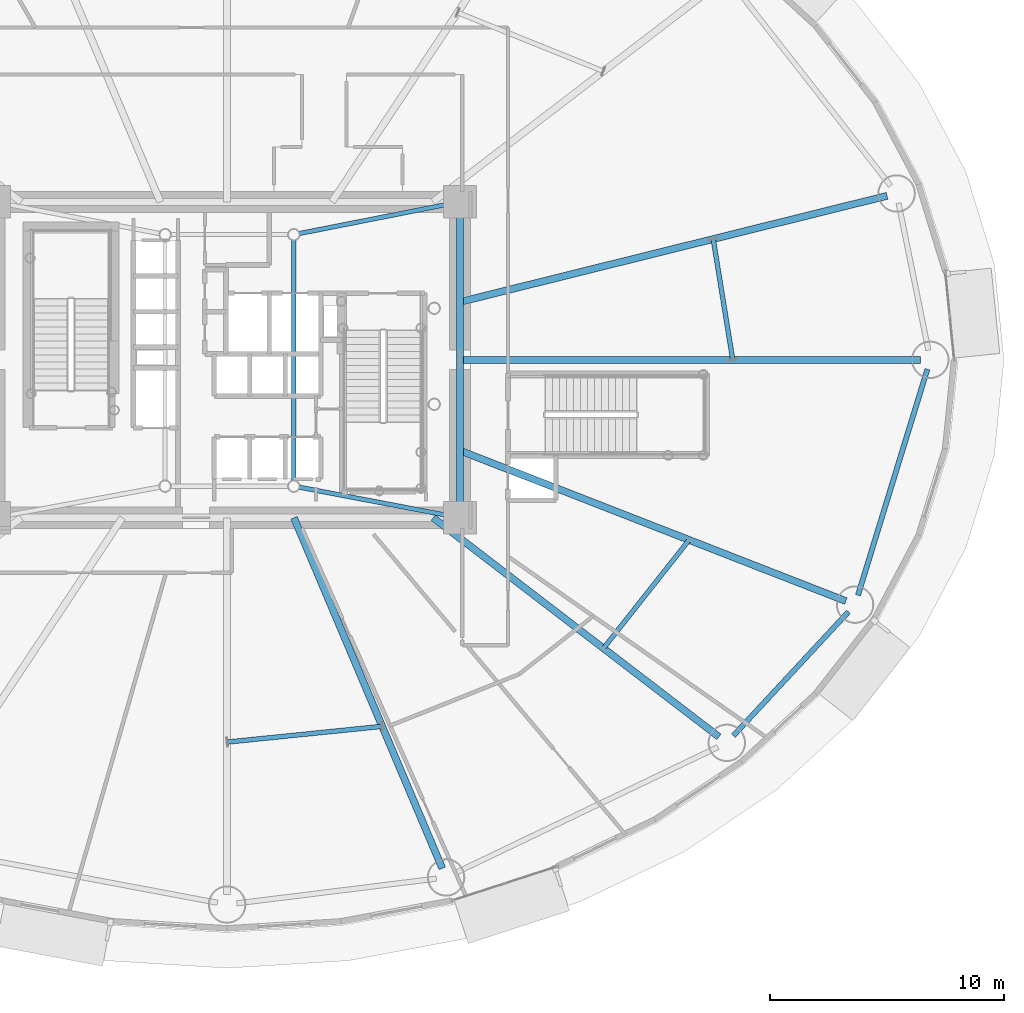
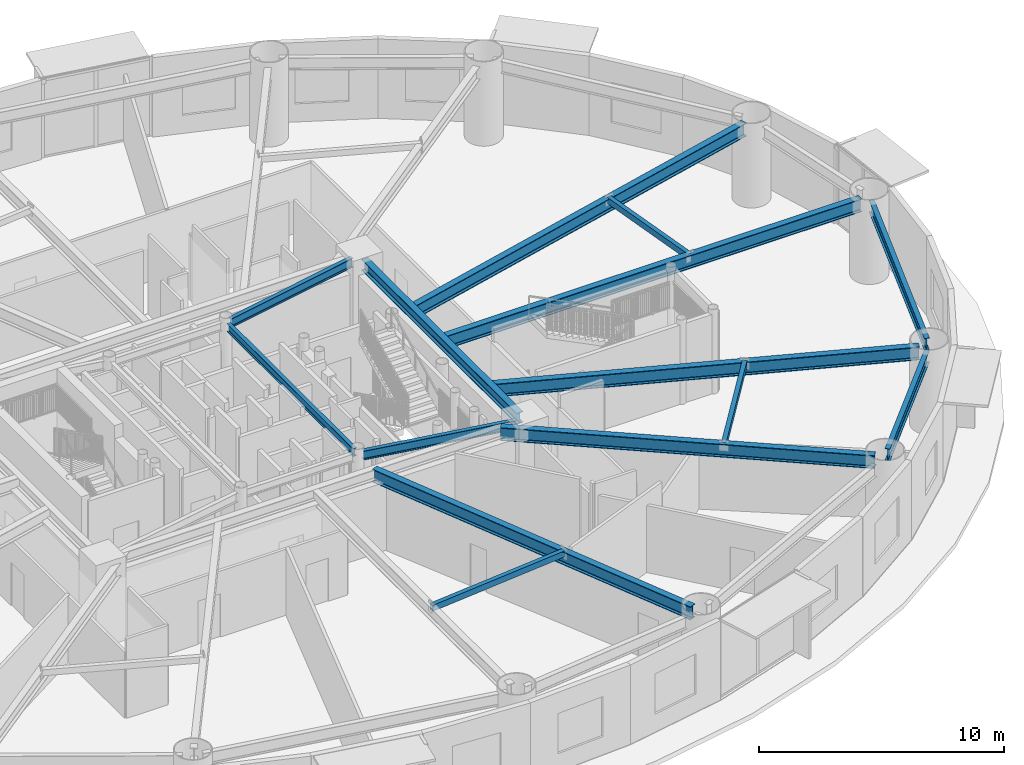
# One storey, part 8 of 35: 14 beams.
"""IFC4 building model written with IfcOpenShell, lengths in metres."""

from ifc_helpers import new_model, si_unit, direction, frame, origin, origin_2d, place, context, subcontext, project, spatial, hollow_rectangle, i_section, extrude, material, material_profile, profile_set, type_object, element, save


model = new_model("IFC4")

# Units and contexts
model_context = context("Model", 3, precision=1e-05, world=origin(), true_north=direction((0.0, 1.0)))
body_context = subcontext(model_context, "Body", "Model", "MODEL_VIEW")
ifc_project = project(units=[si_unit("LENGTHUNIT", "METRE"), si_unit("AREAUNIT", "SQUARE_METRE"), si_unit("VOLUMEUNIT", "CUBIC_METRE"), si_unit("PLANEANGLEUNIT", "RADIAN"), si_unit("MASSUNIT", "GRAM", prefix="KILO")], contexts=[model_context])

# Site, building, storey
site_placement = place(None, origin())
site = spatial("IfcSite", under=ifc_project, at=site_placement, CompositionType="ELEMENT")
building_placement = place(site_placement, origin())
building = spatial("IfcBuilding", under=site, at=building_placement, Name="Linh Dai School and Residence Tower", CompositionType="ELEMENT")
storey_placement = place(building_placement, frame((0.0, 0.0, 32.39990234375)))
storey = spatial("IfcBuildingStorey", under=building, at=storey_placement, Name="L07", CompositionType="ELEMENT", Elevation=32.39990234375)

# Beams
ifc_material = material(Name="Structural Steel S355JR", Category="steel")
ifc_material_profile_1 = material_profile(ifc_material, hollow_rectangle(XDim=0.199951171875, YDim=0.300048828125, WallThickness=0.010009765625, at=origin_2d()), Name="RHS 300x200x10")
ifc_profile_set_1 = profile_set([ifc_material_profile_1], Name="Structural Steel S355JR")
beam_type_1 = type_object("IfcBeamType", Name="BM-BX3", PredefinedType="BEAM", material=ifc_profile_set_1)
beam_1_placement = place(storey_placement, frame((57.607177734375, 27.0048828125, 3.800048828125), z_axis=(-0.159632523434, 0.987176507754, 0.0), x_axis=(-0.987176507754, -0.159632523434, 0.0)))
element("IfcBeam", 1, at=beam_1_placement, inside=storey, type_object=beam_type_1, Name="L07 Secondary Circumferential Floor Beam 01", PredefinedType="BEAM", context=body_context, shape_type="SweptSolid", body=[
    extrude(hollow_rectangle(XDim=0.199951171875, YDim=0.300048828125, WallThickness=0.010009765625, at=origin_2d()), origin(), (0.0, 0.0, 1.0), 5.21826171875),
])
beam_2_placement = place(storey_placement, frame((36.0048828125, 10.6630859375, 3.800048828125), z_axis=(0.99488448114, 0.10101915257, 0.0), x_axis=(-0.10101915257, 0.99488448114, 0.0)))
element("IfcBeam", 2, at=beam_2_placement, inside=storey, type_object=beam_type_1, Name="L07 Secondary Circumferential Floor Beam 07", PredefinedType="BEAM", context=body_context, shape_type="SweptSolid", body=[
    extrude(hollow_rectangle(XDim=0.199951171875, YDim=0.300048828125, WallThickness=0.010009765625, at=origin_2d()), origin(), (0.0, 0.0, 1.0), 6.65087890625),
])
beam_3_placement = place(storey_placement, frame((52.085693359375, 14.6748046875, 3.800048828125), z_axis=(0.620188156993, 0.784453089691, 0.0), x_axis=(-0.784453089691, 0.620188156993, 0.0)))
element("IfcBeam", 3, at=beam_3_placement, inside=storey, type_object=beam_type_1, Name="L07 Secondary Circumferential Floor Beam 08", PredefinedType="BEAM", context=body_context, shape_type="SweptSolid", body=[
    extrude(hollow_rectangle(XDim=0.199951171875, YDim=0.300048828125, WallThickness=0.010009765625, at=origin_2d()), origin(), (0.0, 0.0, 1.0), 5.89306640625),
])
ifc_material_profile_2 = material_profile(ifc_material, i_section(OverallWidth=0.219970703125, OverallDepth=0.60009765625, WebThickness=0.011962890625, FlangeThickness=0.01904296875, FilletRadius=0.02392578125, at=origin_2d()), Name="IPE 600")
ifc_profile_set_2 = profile_set([ifc_material_profile_2], Name="Structural Steel S355JR")
beam_type_2 = type_object("IfcBeamType", Name="BM-RB60", PredefinedType="BEAM", material=ifc_profile_set_2)
beam_4_placement = place(storey_placement, frame((57.638427734375, 10.938720703125, 3.650146484375), z_axis=(0.680408287194, 0.732833243458, 0.0), x_axis=(-0.732833243458, 0.680408287194, 0.0)))
element("IfcBeam", 4, at=beam_4_placement, inside=storey, type_object=beam_type_2, Name="L07 Perimeter Elliptical Ring Beam 15", PredefinedType="BEAM", context=body_context, shape_type="SweptSolid", body=[
    extrude(i_section(OverallWidth=0.219970703125, OverallDepth=0.60009765625, WebThickness=0.011962890625, FlangeThickness=0.01904296875, FilletRadius=0.02392578125, at=origin_2d()), origin(), (0.0, 0.0, 1.0), 7.21826171875),
])
beam_5_placement = place(storey_placement, frame((62.958740234375, 16.937744140625, 3.650146484375), z_axis=(0.293673329015, 0.95590584046, 0.0), x_axis=(-0.95590584046, 0.293673329015, 0.0)))
element("IfcBeam", 5, at=beam_5_placement, inside=storey, type_object=beam_type_2, Name="L07 Perimeter Elliptical Ring Beam 16", PredefinedType="BEAM", context=body_context, shape_type="SweptSolid", body=[
    extrude(i_section(OverallWidth=0.219970703125, OverallDepth=0.60009765625, WebThickness=0.011962890625, FlangeThickness=0.01904296875, FilletRadius=0.02392578125, at=origin_2d()), origin(), (0.0, 0.0, 1.0), 10.1064453125),
])
ifc_material_profile_3 = material_profile(ifc_material, i_section(OverallWidth=0.300048828125, OverallDepth=0.550048828125, WebThickness=0.014892578125, FlangeThickness=0.029052734375, FilletRadius=0.027099609375, at=origin_2d()), Name="HEB 550")
ifc_profile_set_3 = profile_set([ifc_material_profile_3], Name="Structural Steel S355JR")
beam_type_3 = type_object("IfcBeamType", Name="BM-RG55", PredefinedType="BEAM", material=ifc_profile_set_3)
beam_6_placement = place(storey_placement, frame((45.949951171875, 20.669921875, 3.675048828125), z_axis=(0.0, 1.0, 0.0), x_axis=(-1.0, 0.0, 0.0)))
element("IfcBeam", 6, at=beam_6_placement, inside=storey, type_object=beam_type_3, Name="L07 Core Perimeter Coupling Girder 2", PredefinedType="BEAM", context=body_context, shape_type="SweptSolid", body=[
    extrude(i_section(OverallWidth=0.300048828125, OverallDepth=0.550048828125, WebThickness=0.014892578125, FlangeThickness=0.029052734375, FilletRadius=0.027099609375, at=origin_2d()), origin(), (0.0, 0.0, 1.0), 12.66015625),
])
ifc_material_profile_4 = material_profile(ifc_material, i_section(OverallWidth=0.300048828125, OverallDepth=0.64990234375, WebThickness=0.01611328125, FlangeThickness=0.031005859375, FilletRadius=0.027099609375, at=origin_2d()), Name="HEB 650")
ifc_profile_set_4 = profile_set([ifc_material_profile_4], Name="Structural Steel S355JR")
beam_type_4 = type_object("IfcBeamType", Name="BM-RG65", PredefinedType="BEAM", material=ifc_profile_set_4)
beam_7_placement = place(storey_placement, frame((45.949951171875, 27.0, 3.625), z_axis=(1.0, 0.0, 0.0), x_axis=(0.0, 1.0, 0.0)))
element("IfcBeam", 7, at=beam_7_placement, inside=storey, type_object=beam_type_4, Name="L07 Primary Radial Floor Girder 01", PredefinedType="BEAM", context=body_context, shape_type="SweptSolid", body=[
    extrude(i_section(OverallWidth=0.300048828125, OverallDepth=0.64990234375, WebThickness=0.01611328125, FlangeThickness=0.031005859375, FilletRadius=0.027099609375, at=origin_2d()), origin(), (0.0, 0.0, 1.0), 19.679931640625),
])
beam_8_placement = place(storey_placement, frame((45.949951171875, 29.47216796875, 3.625), z_axis=(0.970493481328, 0.241127357843, 0.0), x_axis=(-0.241127357843, 0.970493481328, 0.0)))
element("IfcBeam", 8, at=beam_8_placement, inside=storey, type_object=beam_type_4, Name="L07 Primary Radial Floor Girder 02", PredefinedType="BEAM", context=body_context, shape_type="SweptSolid", body=[
    extrude(i_section(OverallWidth=0.300048828125, OverallDepth=0.64990234375, WebThickness=0.01611328125, FlangeThickness=0.031005859375, FilletRadius=0.027099609375, at=origin_2d()), origin(), (0.0, 0.0, 1.0), 18.80810546875),
])
beam_9_placement = place(storey_placement, frame((38.85546875, 20.25, 3.625), z_axis=(0.38962432485, -0.920973878829, 0.0), x_axis=(0.920973878829, 0.38962432485, 0.0)))
element("IfcBeam", 9, at=beam_9_placement, inside=storey, type_object=beam_type_4, Name="L07 Primary Radial Floor Girder 14", PredefinedType="BEAM", context=body_context, shape_type="SweptSolid", body=[
    extrude(i_section(OverallWidth=0.300048828125, OverallDepth=0.64990234375, WebThickness=0.01611328125, FlangeThickness=0.031005859375, FilletRadius=0.027099609375, at=origin_2d()), origin(), (0.0, 0.0, 1.0), 16.2685546875),
])
beam_10_placement = place(storey_placement, frame((44.804931640625, 20.25, 3.625), z_axis=(0.793637764155, -0.608390581212, 0.0), x_axis=(0.608390581212, 0.793637764155, 0.0)))
element("IfcBeam", 10, at=beam_10_placement, inside=storey, type_object=beam_type_4, Name="L07 Primary Radial Floor Girder 15", PredefinedType="BEAM", context=body_context, shape_type="SweptSolid", body=[
    extrude(i_section(OverallWidth=0.300048828125, OverallDepth=0.64990234375, WebThickness=0.01611328125, FlangeThickness=0.031005859375, FilletRadius=0.027099609375, at=origin_2d()), origin(), (0.0, 0.0, 1.0), 15.390625),
])
beam_11_placement = place(storey_placement, frame((45.949951171875, 23.120361328125, 3.625), z_axis=(0.93167509369, -0.363292609061, 0.0), x_axis=(0.363292609061, 0.93167509369, 0.0)))
element("IfcBeam", 11, at=beam_11_placement, inside=storey, type_object=beam_type_4, Name="L07 Primary Radial Floor Girder 16", PredefinedType="BEAM", context=body_context, shape_type="SweptSolid", body=[
    extrude(i_section(OverallWidth=0.300048828125, OverallDepth=0.64990234375, WebThickness=0.01611328125, FlangeThickness=0.031005859375, FilletRadius=0.027099609375, at=origin_2d()), origin(), (0.0, 0.0, 1.0), 17.703857421875),
])
ifc_material_profile_5 = material_profile(ifc_material, i_section(OverallWidth=0.179931640625, OverallDepth=0.39990234375, WebThickness=0.008544921875, FlangeThickness=0.013427734375, FilletRadius=0.02099609375, at=origin_2d()), Name="IPE 400")
ifc_profile_set_5 = profile_set([ifc_material_profile_5], Name="Structural Steel S355JR")
beam_type_5 = type_object("IfcBeamType", Name="BM-SB40", PredefinedType="BEAM", material=ifc_profile_set_5)
beam_12_placement = place(storey_placement, frame((38.85009765625, 21.823974609375, 3.75), z_axis=(0.0, 1.0, 0.0), x_axis=(-1.0, 0.0, 0.0)))
element("IfcBeam", 12, at=beam_12_placement, inside=storey, type_object=beam_type_5, Name="L07 Core Mast Pier Tie Beam 2", PredefinedType="BEAM", context=body_context, shape_type="SweptSolid", body=[
    extrude(i_section(OverallWidth=0.179931640625, OverallDepth=0.39990234375, WebThickness=0.008544921875, FlangeThickness=0.013427734375, FilletRadius=0.02099609375, at=origin_2d()), origin(), (0.0, 0.0, 1.0), 10.302001953125),
])
ifc_material_profile_6 = material_profile(ifc_material, i_section(OverallWidth=0.18994140625, OverallDepth=0.449951171875, WebThickness=0.009521484375, FlangeThickness=0.0146484375, FilletRadius=0.02099609375, at=origin_2d()), Name="IPE 450")
ifc_profile_set_6 = profile_set([ifc_material_profile_6], Name="Structural Steel S355JR")
beam_type_6 = type_object("IfcBeamType", Name="BM-SB45", PredefinedType="BEAM", material=ifc_profile_set_6)
beam_13_placement = place(storey_placement, frame((45.537353515625, 20.328369140625, 3.72509765625), z_axis=(-0.982397918823, 0.186800238471, 0.0), x_axis=(-0.186800238471, -0.982397918823, 0.0)))
element("IfcBeam", 13, at=beam_13_placement, inside=storey, type_object=beam_type_6, Name="L07 Core Corner-to-Mast Pier Beam 2", PredefinedType="BEAM", context=body_context, shape_type="SweptSolid", body=[
    extrude(i_section(OverallWidth=0.18994140625, OverallDepth=0.449951171875, WebThickness=0.009521484375, FlangeThickness=0.0146484375, FilletRadius=0.02099609375, at=origin_2d()), origin(), (0.0, 0.0, 1.0), 6.583251953125),
])
beam_14_placement = place(storey_placement, frame((45.537841796875, 33.668701171875, 3.72509765625), z_axis=(-0.981108354988, -0.193459028666, 0.0), x_axis=(0.193459028666, -0.981108354988, 0.0)))
element("IfcBeam", 14, at=beam_14_placement, inside=storey, type_object=beam_type_6, Name="L07 Core Corner-to-Mast Pier Beam 3", PredefinedType="BEAM", context=body_context, shape_type="SweptSolid", body=[
    extrude(i_section(OverallWidth=0.18994140625, OverallDepth=0.449951171875, WebThickness=0.009521484375, FlangeThickness=0.0146484375, FilletRadius=0.02099609375, at=origin_2d()), origin(), (0.0, 0.0, 1.0), 6.592529296875),
])

save(model, "model.ifc")
